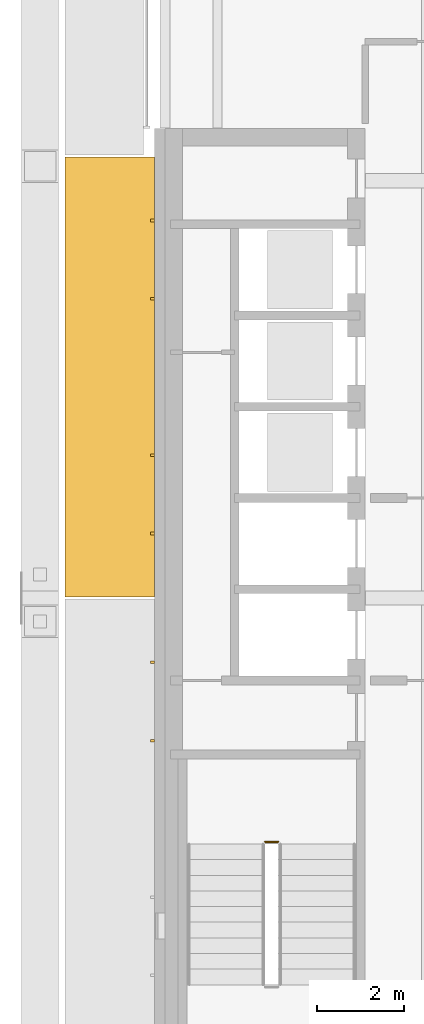
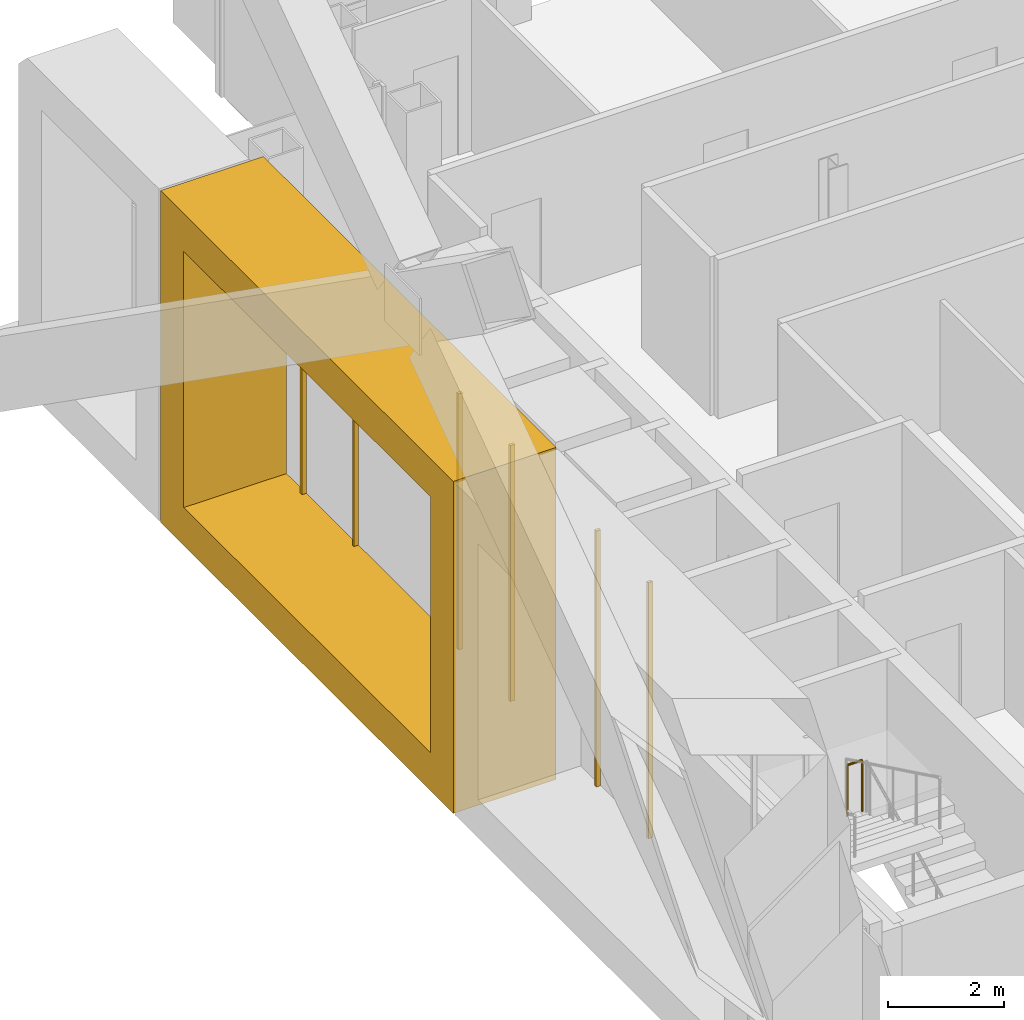
# One storey, part 17 of 21: 7 coverings, 1 railing.
"""IFC4 building model written with IfcOpenShell, lengths in metres."""

from ifc_helpers import new_model, si_unit, direction, frame, origin, origin_2d, place, context, subcontext, project, spatial, polyline, rectangle, circle, outline, extrude, material, type_object, element, save


model = new_model("IFC4")

# Units and contexts
model_context = context("Model", 3, precision=1e-05, world=origin(), true_north=direction((0.0, 1.0)))
body_context = subcontext(model_context, "Body", "Model", "MODEL_VIEW")
ifc_project = project(units=[si_unit("LENGTHUNIT", "METRE"), si_unit("AREAUNIT", "SQUARE_METRE"), si_unit("VOLUMEUNIT", "CUBIC_METRE"), si_unit("PLANEANGLEUNIT", "RADIAN"), si_unit("MASSUNIT", "GRAM", prefix="KILO")], contexts=[model_context])

# Site, building, storey
site_placement = place(None, origin())
site = spatial("IfcSite", under=ifc_project, at=site_placement, CompositionType="ELEMENT")
building_placement = place(site_placement, origin())
building = spatial("IfcBuilding", under=site, at=building_placement, Name="Cobrizo Arcos Hotel Tower", CompositionType="ELEMENT")
storey_placement = place(building_placement, frame((0.0, 0.0, 212.0)))
storey = spatial("IfcBuildingStorey", under=building, at=storey_placement, Name="L55", CompositionType="ELEMENT", Elevation=212.0)

# Coverings
ifc_material_1 = material(Name="Aluminium 6063-T6 anodised bronze", Category="aluminium")
covering_type_1 = type_object("IfcCoveringType", Name="FIN-F 2050", PredefinedType="CLADDING", material=ifc_material_1)
covering_placement = place(storey_placement, frame((-20.64990234375, 10.1416015625, 0.0), z_axis=(-1.0, 0.0, 0.0), x_axis=(0.0, -1.0, 0.0)))
element("IfcCovering", 1, at=covering_placement, inside=storey, type_object=covering_type_1, Name="Fin frame 354", PredefinedType="CLADDING", context=body_context, shape_type="SweptSolid", body=[
    extrude(outline(polyline([(0.0, 7.0), (0.0, 0.0), (10.11669921875, 0.0), (10.11669921875, 7.0), (0.0, 7.0)]), holes=[polyline([(9.316650390625, 0.800048828125), (0.800048828125, 0.800048828125), (0.800048828125, 6.199951171875), (9.316650390625, 6.199951171875), (9.316650390625, 0.800048828125)])]), origin(), (0.0, 0.0, 1.0), 2.050048828125),
])
ifc_material_2 = material(Name="Aluminium 6063-T6 anodised pale", Category="aluminium")
covering_type_2 = type_object("IfcCoveringType", Name="RS-1 rainscreen rib 60x90", PredefinedType="CLADDING", material=ifc_material_2)
for number, where, z_axis, x_axis, name in (
    (2, (-20.695068359375, 8.683349609375, 0.800048828125), (0.0, 0.0, 1.0), (0.0, -1.0, 0.0), "Rainscreen rib 233"),
    (3, (-20.695068359375, 6.88330078125, 0.800048828125), (0.0, 0.0, 1.0), (0.0, -1.0, 0.0), "Rainscreen rib 234"),
    (4, (-20.695068359375, 3.283447265625, 0.800048828125), (0.0, 0.0, 1.0), (0.0, -1.0, 0.0), "Rainscreen rib 235"),
    (5, (-20.695068359375, 1.4833984375, 0.800048828125), (0.0, 0.0, 1.0), (0.0, -1.0, 0.0), "Rainscreen rib 236"),
    (6, (-20.695068359375, -1.4833984375, 0.800048828125), (0.0, 0.0, 1.0), (0.0, -1.0, 0.0), "Rainscreen rib 237"),
    (7, (-20.695068359375, -3.283447265625, 0.800048828125), (0.0, 0.0, 1.0), (0.0, -1.0, 0.0), "Rainscreen rib 238"),
):
    element("IfcCovering", number, at=place(storey_placement, frame(where, z_axis=z_axis, x_axis=x_axis)), inside=storey, type_object=covering_type_2, Name=name, PredefinedType="CLADDING", context=body_context, shape_type="SweptSolid", body=[
        extrude(rectangle(XDim=0.06005859375, YDim=0.090087890625, at=origin_2d()), origin(), (0.0, 0.0, 1.0), 5.39990234375),
    ])

# Railing
ifc_material_3 = material(Name="Stainless steel railing", Category="steel")
railing_type = type_object("IfcRailingType", Name="Stair guard 1100", PredefinedType="GUARDRAIL", material=ifc_material_3)
railing_placement = place(storey_placement, frame((-17.800048828125, -5.610107421875, 1.75)))
element("IfcRailing", 8, at=railing_placement, inside=storey, type_object=railing_type, Name="L55 ST-W stair guard 2", PredefinedType="GUARDRAIL", context=body_context, shape_type="SweptSolid", body=[
    extrude(circle(Radius=0.02392578125, at=origin_2d()), frame((0.0, 0.0, 1.076171875), z_axis=(-1.0, 0.0, 0.0), x_axis=(0.0, -1.0, 0.0)), (0.0, 0.0, 1.0), 0.300048828125),
    extrude(circle(Radius=0.02099609375, at=origin_2d()), origin(), (0.0, 0.0, 1.0), 1.052001953125),
    extrude(circle(Radius=0.02099609375, at=origin_2d()), frame((-0.300048828125, 0.0, 0.0)), (0.0, 0.0, 1.0), 1.052001953125),
])

save(model, "model.ifc")
